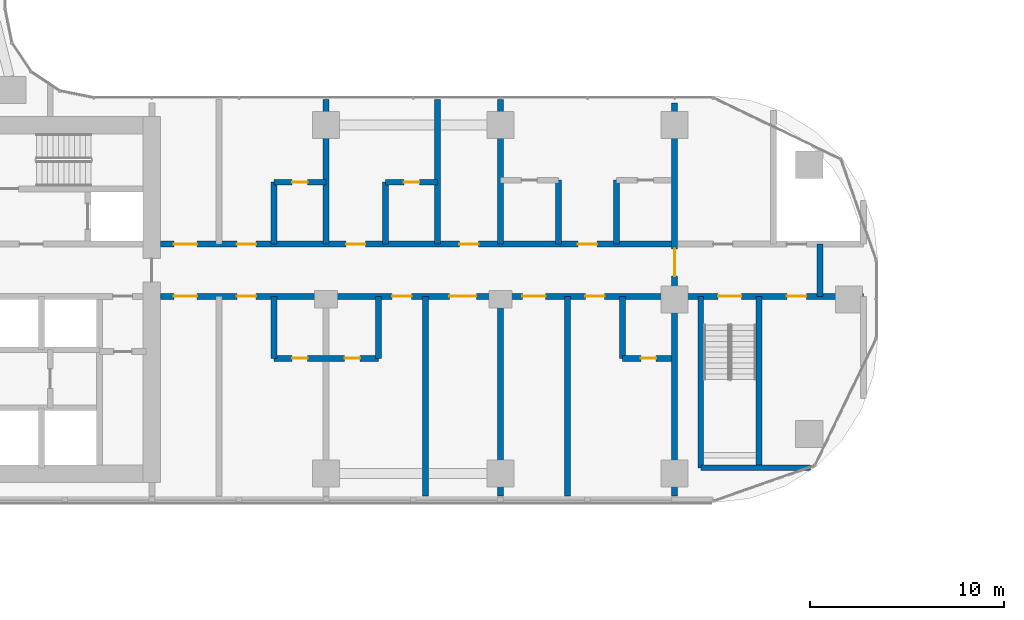
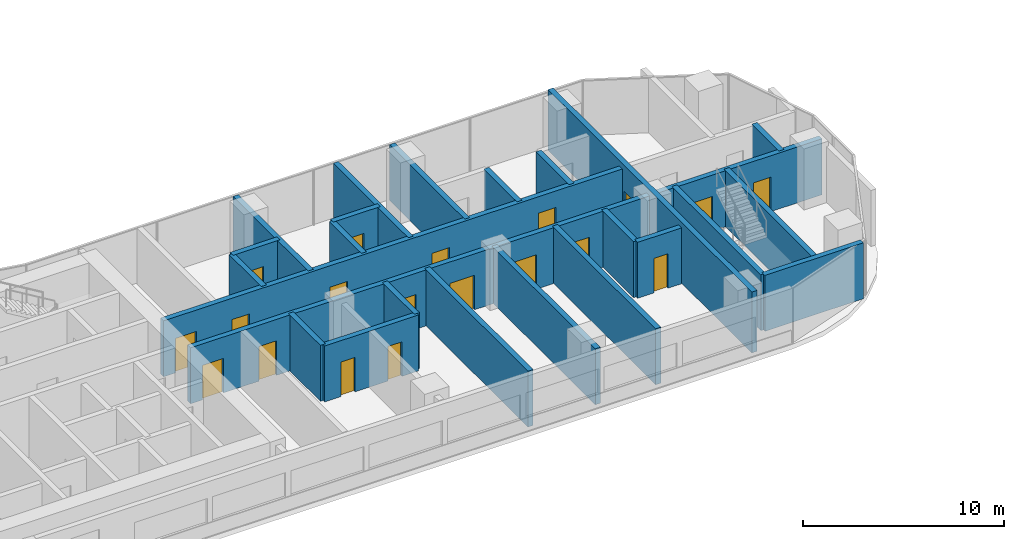
# One storey, part 18 of 33: 25 walls, 19 doors, 19 openings.
"""IFC4 building model written with IfcOpenShell, lengths in metres."""

from ifc_helpers import new_model, si_unit, direction, frame, frame_2d, origin, place, context, subcontext, project, spatial, rectangle, extrude, material, layer, layer_set, type_object, element, fill, save


model = new_model("IFC4")

# Units and contexts
model_context = context("Model", 3, precision=1e-05, world=origin(), true_north=direction((0.0, 1.0)))
body_context = subcontext(model_context, "Body", "Model", "MODEL_VIEW")
ifc_project = project(units=[si_unit("LENGTHUNIT", "METRE"), si_unit("AREAUNIT", "SQUARE_METRE"), si_unit("VOLUMEUNIT", "CUBIC_METRE"), si_unit("PLANEANGLEUNIT", "RADIAN"), si_unit("MASSUNIT", "GRAM", prefix="KILO")], contexts=[model_context])

# Site, building, storey
site_placement = place(None, origin())
site = spatial("IfcSite", under=ifc_project, at=site_placement, CompositionType="ELEMENT")
building_placement = place(site_placement, origin())
building = spatial("IfcBuilding", under=site, at=building_placement, Name="Ogive Portal Towers", CompositionType="ELEMENT")
storey_placement = place(building_placement, frame((0.0, 0.0, 77.89990234375)))
storey = spatial("IfcBuildingStorey", under=building, at=storey_placement, Name="L18", CompositionType="ELEMENT", Elevation=77.89990234375)

# Wall, opening, door
ifc_material_1 = material(Name="Concrete C60/75", Category="concrete")
ifc_layer_1 = layer(ifc_material_1, 0.300048828125)
ifc_layer_set_1 = layer_set([ifc_layer_1], Name="REVEAL WALL 300 C60")
wall_type_1 = type_object("IfcWallType", Name="REVEAL WALL 300 C60", PredefinedType="SHEAR", material=ifc_layer_set_1)
wall_1_placement = place(storey_placement, frame((85.5, 20.35009765625, 0.0), z_axis=(0.0, 0.0, 1.0), x_axis=(0.0, 1.0, 0.0)))
wall_1 = element("IfcWall", 1, at=wall_1_placement, inside=storey, type_object=wall_type_1, Name="Portal reveal wall L18", PredefinedType="SHEAR", context=body_context, shape_type="SweptSolid", body=[
    extrude(rectangle(XDim=20.2998046875, YDim=0.300048828125, at=frame_2d((10.14990234375, 0.0))), origin(), (0.0, 0.0, 1.0), 3.7001953125),
])
opening_1_placement = place(wall_1_placement, frame((11.35009765625, 0.0, 0.0)))
opening_1 = element("IfcOpeningElement", 2, at=opening_1_placement, cuts=wall_1, Name="Opening D05-066", PredefinedType="OPENING", context=body_context, shape_type="SweptSolid", body=[
    extrude(rectangle(XDim=1.39990234375, YDim=2.10009765625, at=frame_2d((0.699951171875, 1.050048828125))), frame((0.0, 0.16015625, 0.0), z_axis=(0.0, -1.0, 0.0), x_axis=(1.0, 0.0, 0.0)), (0.0, 0.0, 1.0), 0.320068359375),
])
ifc_material_2 = material(Name="Steel fire door", Category="steel")
door_type_1 = type_object("IfcDoorType", Name="DT-STAIR-1400x2100-FD90S", OperationType="SINGLE_SWING_LEFT", PredefinedType="DOOR", material=ifc_material_2)
door_1_placement = place(opening_1_placement, origin())
door_1 = element("IfcDoor", 3, at=door_1_placement, inside=storey, type_object=door_type_1, Name="Door D05-066", OperationType="SINGLE_SWING_RIGHT", OverallHeight=2.10009765625, OverallWidth=1.39990234375, PredefinedType="DOOR", context=body_context, shape_type="SweptSolid", body=[
    extrude(rectangle(XDim=1.39990234375, YDim=2.10009765625, at=frame_2d((0.699951171875, 1.050048828125))), frame((0.0, 0.02490234375, 0.0), z_axis=(0.0, -1.0, 0.0), x_axis=(1.0, 0.0, 0.0)), (0.0, 0.0, 1.0), 0.050048828125),
])
fill(opening_1, door_1)

# Wall
ifc_material_3 = material(Name="Concrete C50/60", Category="concrete")
ifc_layer_2 = layer(ifc_material_3, 0.300048828125)
ifc_layer_set_2 = layer_set([ifc_layer_2], Name="STAIR WALL 300 C50")
wall_type_2 = type_object("IfcWallType", Name="STAIR WALL 300 C50", PredefinedType="SHEAR", material=ifc_layer_set_2)
wall_2_placement = place(storey_placement, frame((86.85009765625, 21.800048828125, 0.0), z_axis=(0.0, 0.0, 1.0), x_axis=(1.0, 0.0, 0.0)))
element("IfcWall", 4, at=wall_2_placement, inside=storey, type_object=wall_type_2, Name="Stair wall ST-A4 L18", PredefinedType="SHEAR", context=body_context, shape_type="SweptSolid", body=[
    extrude(rectangle(XDim=5.664794921875, YDim=0.300048828125, at=frame_2d((2.83251953125, 0.0))), origin(), (0.0, 0.0, 1.0), 3.400146484375),
])

# Wall, openings, doors
wall_3_placement = place(storey_placement, frame((85.669921875, 30.64990234375, 0.0), z_axis=(0.0, 0.0, 1.0), x_axis=(1.0, 0.0, 0.0)))
wall_3 = element("IfcWall", 5, at=wall_3_placement, inside=storey, type_object=wall_type_2, Name="Stair wall ST-A4 L18", PredefinedType="SHEAR", context=body_context, shape_type="SweptSolid", body=[
    extrude(rectangle(XDim=9.580078125, YDim=0.300048828125, at=frame_2d((4.7900390625, 0.0))), origin(), (0.0, 0.0, 1.0), 3.400146484375),
])
opening_2_placement = place(wall_3_placement, frame((2.080078125, 0.0, 0.0)))
opening_2 = element("IfcOpeningElement", 6, at=opening_2_placement, cuts=wall_3, Name="Opening D05-061", PredefinedType="OPENING", context=body_context, shape_type="SweptSolid", body=[
    extrude(rectangle(XDim=1.199951171875, YDim=2.10009765625, at=frame_2d((0.60009765625, 1.050048828125))), frame((0.0, 0.16015625, 0.0), z_axis=(0.0, -1.0, 0.0), x_axis=(1.0, 0.0, 0.0)), (0.0, 0.0, 1.0), 0.320068359375),
])
opening_3_placement = place(wall_3_placement, frame((5.6298828125, 0.0, 0.0)))
opening_3 = element("IfcOpeningElement", 7, at=opening_3_placement, cuts=wall_3, Name="Opening D05-064", PredefinedType="OPENING", context=body_context, shape_type="SweptSolid", body=[
    extrude(rectangle(XDim=1.0, YDim=2.10009765625, at=frame_2d((0.5, 1.050048828125))), frame((0.0, 0.16015625, 0.0), z_axis=(0.0, -1.0, 0.0), x_axis=(1.0, 0.0, 0.0)), (0.0, 0.0, 1.0), 0.320068359375),
])
door_type_2 = type_object("IfcDoorType", Name="DT-SERVICE-1000x2100-FD90S", OperationType="SINGLE_SWING_LEFT", PredefinedType="DOOR", material=ifc_material_2)
door_2_placement = place(opening_3_placement, origin())
door_2 = element("IfcDoor", 8, at=door_2_placement, inside=storey, type_object=door_type_2, Name="Door D05-064", OperationType="SINGLE_SWING_LEFT", OverallHeight=2.10009765625, OverallWidth=1.0, PredefinedType="DOOR", context=body_context, shape_type="SweptSolid", body=[
    extrude(rectangle(XDim=1.0, YDim=2.10009765625, at=frame_2d((0.5, 1.050048828125))), frame((0.0, 0.02490234375, 0.0), z_axis=(0.0, -1.0, 0.0), x_axis=(1.0, 0.0, 0.0)), (0.0, 0.0, 1.0), 0.050048828125),
])
fill(opening_3, door_2)
door_type_3 = type_object("IfcDoorType", Name="DT-STAIR-1200x2100-FD90S", OperationType="SINGLE_SWING_LEFT", PredefinedType="DOOR", material=ifc_material_2)
door_3_placement = place(opening_2_placement, origin())
door_3 = element("IfcDoor", 9, at=door_3_placement, inside=storey, type_object=door_type_3, Name="Door D05-061", OperationType="SINGLE_SWING_LEFT", OverallHeight=2.10009765625, OverallWidth=1.199951171875, PredefinedType="DOOR", context=body_context, shape_type="SweptSolid", body=[
    extrude(rectangle(XDim=1.199951171875, YDim=2.10009765625, at=frame_2d((0.60009765625, 1.050048828125))), frame((0.0, 0.02490234375, 0.0), z_axis=(0.0, -1.0, 0.0), x_axis=(1.0, 0.0, 0.0)), (0.0, 0.0, 1.0), 0.050048828125),
])
fill(opening_2, door_3)

# Walls
for number, where, z_axis, x_axis, name in (
    (10, (86.85009765625, 21.800048828125, 0.0), (0.0, 0.0, 1.0), (0.0, 1.0, 0.0), "Stair wall ST-A4 L18"),
    (11, (89.85009765625, 21.800048828125, 0.0), (0.0, 0.0, 1.0), (0.0, 1.0, 0.0), "Stair wall ST-A4 L18"),
):
    element("IfcWall", number, at=place(storey_placement, frame(where, z_axis=z_axis, x_axis=x_axis)), inside=storey, type_object=wall_type_2, Name=name, PredefinedType="SHEAR", context=body_context, shape_type="SweptSolid", body=[
        extrude(rectangle(XDim=8.849853515625, YDim=0.300048828125, at=frame_2d((4.4248046875, 0.0))), origin(), (0.0, 0.0, 1.0), 3.400146484375),
    ])

# Wall, openings, doors
ifc_material_4 = material(Name="Gypsum board partition on steel studs", Category="steel")
ifc_layer_3 = layer(ifc_material_4, 0.300048828125)
ifc_layer_set_3 = layer_set([ifc_layer_3], Name="WT-PART-300-EI 120")
wall_type_3 = type_object("IfcWallType", Name="WT-PART-300-EI 120", PredefinedType="PARTITIONING", material=ifc_layer_set_3)
wall_4_placement = place(storey_placement, frame((58.949951171875, 30.64990234375, 0.0), z_axis=(0.0, 0.0, 1.0), x_axis=(1.0, 0.0, 0.0)))
wall_4 = element("IfcWall", 12, at=wall_4_placement, inside=storey, type_object=wall_type_3, Name="Wall L18:w004", PredefinedType="PARTITIONING", context=body_context, shape_type="SweptSolid", body=[
    extrude(rectangle(XDim=26.380126953125, YDim=0.300048828125, at=frame_2d((13.18994140625, 0.0))), origin(), (0.0, 0.0, 1.0), 3.400146484375),
])
opening_4_placement = place(wall_4_placement, frame((0.68505859375, 0.0, 0.0)))
opening_4 = element("IfcOpeningElement", 13, at=opening_4_placement, cuts=wall_4, Name="Opening D05-029", PredefinedType="OPENING", context=body_context, shape_type="SweptSolid", body=[
    extrude(rectangle(XDim=1.199951171875, YDim=2.10009765625, at=frame_2d((0.60009765625, 1.050048828125))), frame((0.0, 0.16015625, 0.0), z_axis=(0.0, -1.0, 0.0), x_axis=(1.0, 0.0, 0.0)), (0.0, 0.0, 1.0), 0.320068359375),
])
opening_5_placement = place(wall_4_placement, frame((3.93505859375, 0.0, 0.0)))
opening_5 = element("IfcOpeningElement", 14, at=opening_5_placement, cuts=wall_4, Name="Opening D05-031", PredefinedType="OPENING", context=body_context, shape_type="SweptSolid", body=[
    extrude(rectangle(XDim=1.0, YDim=2.10009765625, at=frame_2d((0.5, 1.050048828125))), frame((0.0, 0.16015625, 0.0), z_axis=(0.0, -1.0, 0.0), x_axis=(1.0, 0.0, 0.0)), (0.0, 0.0, 1.0), 0.320068359375),
])
opening_6_placement = place(wall_4_placement, frame((11.965087890625, 0.0, 0.0)))
opening_6 = element("IfcOpeningElement", 15, at=opening_6_placement, cuts=wall_4, Name="Opening D05-036", PredefinedType="OPENING", context=body_context, shape_type="SweptSolid", body=[
    extrude(rectangle(XDim=1.0, YDim=2.10009765625, at=frame_2d((0.5, 1.050048828125))), frame((0.0, 0.16015625, 0.0), z_axis=(0.0, -1.0, 0.0), x_axis=(1.0, 0.0, 0.0)), (0.0, 0.0, 1.0), 0.320068359375),
])
opening_7_placement = place(wall_4_placement, frame((14.9150390625, 0.0, 0.0)))
opening_7 = element("IfcOpeningElement", 16, at=opening_7_placement, cuts=wall_4, Name="Opening D05-037", PredefinedType="OPENING", context=body_context, shape_type="SweptSolid", body=[
    extrude(rectangle(XDim=1.39990234375, YDim=2.10009765625, at=frame_2d((0.699951171875, 1.050048828125))), frame((0.0, 0.16015625, 0.0), z_axis=(0.0, -1.0, 0.0), x_axis=(1.0, 0.0, 0.0)), (0.0, 0.0, 1.0), 0.320068359375),
])
opening_8_placement = place(wall_4_placement, frame((18.68505859375, 0.0, 0.0)))
opening_8 = element("IfcOpeningElement", 17, at=opening_8_placement, cuts=wall_4, Name="Opening D05-041", PredefinedType="OPENING", context=body_context, shape_type="SweptSolid", body=[
    extrude(rectangle(XDim=1.199951171875, YDim=2.10009765625, at=frame_2d((0.60009765625, 1.050048828125))), frame((0.0, 0.16015625, 0.0), z_axis=(0.0, -1.0, 0.0), x_axis=(1.0, 0.0, 0.0)), (0.0, 0.0, 1.0), 0.320068359375),
])
opening_9_placement = place(wall_4_placement, frame((21.93505859375, 0.0, 0.0)))
opening_9 = element("IfcOpeningElement", 18, at=opening_9_placement, cuts=wall_4, Name="Opening D05-043", PredefinedType="OPENING", context=body_context, shape_type="SweptSolid", body=[
    extrude(rectangle(XDim=1.0, YDim=2.10009765625, at=frame_2d((0.5, 1.050048828125))), frame((0.0, 0.16015625, 0.0), z_axis=(0.0, -1.0, 0.0), x_axis=(1.0, 0.0, 0.0)), (0.0, 0.0, 1.0), 0.320068359375),
])
door_type_4 = type_object("IfcDoorType", Name="DT-ENTRY-1000x2100-FD90S", OperationType="SINGLE_SWING_LEFT", PredefinedType="DOOR", material=ifc_material_2)
door_4_placement = place(opening_5_placement, origin())
door_4 = element("IfcDoor", 19, at=door_4_placement, inside=storey, type_object=door_type_4, Name="Door D05-031", OperationType="SINGLE_SWING_LEFT", OverallHeight=2.10009765625, OverallWidth=1.0, PredefinedType="DOOR", context=body_context, shape_type="SweptSolid", body=[
    extrude(rectangle(XDim=1.0, YDim=2.10009765625, at=frame_2d((0.5, 1.050048828125))), frame((0.0, 0.02490234375, 0.0), z_axis=(0.0, -1.0, 0.0), x_axis=(1.0, 0.0, 0.0)), (0.0, 0.0, 1.0), 0.050048828125),
])
fill(opening_5, door_4)
door_5_placement = place(opening_6_placement, origin())
door_5 = element("IfcDoor", 20, at=door_5_placement, inside=storey, type_object=door_type_4, Name="Door D05-036", OperationType="SINGLE_SWING_LEFT", OverallHeight=2.10009765625, OverallWidth=1.0, PredefinedType="DOOR", context=body_context, shape_type="SweptSolid", body=[
    extrude(rectangle(XDim=1.0, YDim=2.10009765625, at=frame_2d((0.5, 1.050048828125))), frame((0.0, 0.02490234375, 0.0), z_axis=(0.0, -1.0, 0.0), x_axis=(1.0, 0.0, 0.0)), (0.0, 0.0, 1.0), 0.050048828125),
])
fill(opening_6, door_5)
door_6_placement = place(opening_9_placement, origin())
door_6 = element("IfcDoor", 21, at=door_6_placement, inside=storey, type_object=door_type_4, Name="Door D05-043", OperationType="SINGLE_SWING_LEFT", OverallHeight=2.10009765625, OverallWidth=1.0, PredefinedType="DOOR", context=body_context, shape_type="SweptSolid", body=[
    extrude(rectangle(XDim=1.0, YDim=2.10009765625, at=frame_2d((0.5, 1.050048828125))), frame((0.0, 0.02490234375, 0.0), z_axis=(0.0, -1.0, 0.0), x_axis=(1.0, 0.0, 0.0)), (0.0, 0.0, 1.0), 0.050048828125),
])
fill(opening_9, door_6)
door_type_5 = type_object("IfcDoorType", Name="DT-ENTRY-1200x2100-FD90S", OperationType="SINGLE_SWING_LEFT", PredefinedType="DOOR", material=ifc_material_2)
door_7_placement = place(opening_4_placement, origin())
door_7 = element("IfcDoor", 22, at=door_7_placement, inside=storey, type_object=door_type_5, Name="Door D05-029", OperationType="SINGLE_SWING_LEFT", OverallHeight=2.10009765625, OverallWidth=1.199951171875, PredefinedType="DOOR", context=body_context, shape_type="SweptSolid", body=[
    extrude(rectangle(XDim=1.199951171875, YDim=2.10009765625, at=frame_2d((0.60009765625, 1.050048828125))), frame((0.0, 0.02490234375, 0.0), z_axis=(0.0, -1.0, 0.0), x_axis=(1.0, 0.0, 0.0)), (0.0, 0.0, 1.0), 0.050048828125),
])
fill(opening_4, door_7)
door_8_placement = place(opening_8_placement, origin())
door_8 = element("IfcDoor", 23, at=door_8_placement, inside=storey, type_object=door_type_5, Name="Door D05-041", OperationType="SINGLE_SWING_LEFT", OverallHeight=2.10009765625, OverallWidth=1.199951171875, PredefinedType="DOOR", context=body_context, shape_type="SweptSolid", body=[
    extrude(rectangle(XDim=1.199951171875, YDim=2.10009765625, at=frame_2d((0.60009765625, 1.050048828125))), frame((0.0, 0.02490234375, 0.0), z_axis=(0.0, -1.0, 0.0), x_axis=(1.0, 0.0, 0.0)), (0.0, 0.0, 1.0), 0.050048828125),
])
fill(opening_8, door_8)
door_type_6 = type_object("IfcDoorType", Name="DT-ENTRY-1400x2100-FD90S", OperationType="SINGLE_SWING_LEFT", PredefinedType="DOOR", material=ifc_material_2)
door_9_placement = place(opening_7_placement, origin())
door_9 = element("IfcDoor", 24, at=door_9_placement, inside=storey, type_object=door_type_6, Name="Door D05-037", OperationType="SINGLE_SWING_RIGHT", OverallHeight=2.10009765625, OverallWidth=1.39990234375, PredefinedType="DOOR", context=body_context, shape_type="SweptSolid", body=[
    extrude(rectangle(XDim=1.39990234375, YDim=2.10009765625, at=frame_2d((0.699951171875, 1.050048828125))), frame((0.0, 0.02490234375, 0.0), z_axis=(0.0, -1.0, 0.0), x_axis=(1.0, 0.0, 0.0)), (0.0, 0.0, 1.0), 0.050048828125),
])
fill(opening_7, door_9)

wall_5_placement = place(storey_placement, frame((58.949951171875, 33.35009765625, 0.0), z_axis=(0.0, 0.0, 1.0), x_axis=(1.0, 0.0, 0.0)))
wall_5 = element("IfcWall", 25, at=wall_5_placement, inside=storey, type_object=wall_type_3, Name="Wall L18:w006", PredefinedType="PARTITIONING", context=body_context, shape_type="SweptSolid", body=[
    extrude(rectangle(XDim=26.380126953125, YDim=0.300048828125, at=frame_2d((13.18994140625, 0.0))), origin(), (0.0, 0.0, 1.0), 3.400146484375),
])
opening_10_placement = place(wall_5_placement, frame((0.68505859375, 0.0, 0.0)))
opening_10 = element("IfcOpeningElement", 26, at=opening_10_placement, cuts=wall_5, Name="Opening D05-026", PredefinedType="OPENING", context=body_context, shape_type="SweptSolid", body=[
    extrude(rectangle(XDim=1.199951171875, YDim=2.10009765625, at=frame_2d((0.60009765625, 1.050048828125))), frame((0.0, 0.16015625, 0.0), z_axis=(0.0, -1.0, 0.0), x_axis=(1.0, 0.0, 0.0)), (0.0, 0.0, 1.0), 0.320068359375),
])
opening_11_placement = place(wall_5_placement, frame((3.93505859375, 0.0, 0.0)))
opening_11 = element("IfcOpeningElement", 27, at=opening_11_placement, cuts=wall_5, Name="Opening D05-028", PredefinedType="OPENING", context=body_context, shape_type="SweptSolid", body=[
    extrude(rectangle(XDim=1.0, YDim=2.10009765625, at=frame_2d((0.5, 1.050048828125))), frame((0.0, 0.16015625, 0.0), z_axis=(0.0, -1.0, 0.0), x_axis=(1.0, 0.0, 0.0)), (0.0, 0.0, 1.0), 0.320068359375),
])
opening_12_placement = place(wall_5_placement, frame((9.580078125, 0.0, 0.0)))
opening_12 = element("IfcOpeningElement", 28, at=opening_12_placement, cuts=wall_5, Name="Opening D05-033", PredefinedType="OPENING", context=body_context, shape_type="SweptSolid", body=[
    extrude(rectangle(XDim=1.0, YDim=2.10009765625, at=frame_2d((0.5, 1.050048828125))), frame((0.0, 0.16015625, 0.0), z_axis=(0.0, -1.0, 0.0), x_axis=(1.0, 0.0, 0.0)), (0.0, 0.0, 1.0), 0.320068359375),
])
opening_13_placement = place(wall_5_placement, frame((15.429931640625, 0.0, 0.0)))
opening_13 = element("IfcOpeningElement", 29, at=opening_13_placement, cuts=wall_5, Name="Opening D05-034", PredefinedType="OPENING", context=body_context, shape_type="SweptSolid", body=[
    extrude(rectangle(XDim=1.0, YDim=2.10009765625, at=frame_2d((0.5, 1.050048828125))), frame((0.0, 0.16015625, 0.0), z_axis=(0.0, -1.0, 0.0), x_axis=(1.0, 0.0, 0.0)), (0.0, 0.0, 1.0), 0.320068359375),
])
opening_14_placement = place(wall_5_placement, frame((21.550048828125, 0.0, 0.0)))
opening_14 = element("IfcOpeningElement", 30, at=opening_14_placement, cuts=wall_5, Name="Opening D05-040", PredefinedType="OPENING", context=body_context, shape_type="SweptSolid", body=[
    extrude(rectangle(XDim=1.0, YDim=2.39990234375, at=frame_2d((0.5, 1.199951171875))), frame((0.0, 0.16015625, 0.0), z_axis=(0.0, -1.0, 0.0), x_axis=(1.0, 0.0, 0.0)), (0.0, 0.0, 1.0), 0.320068359375),
])
door_10_placement = place(opening_11_placement, origin())
door_10 = element("IfcDoor", 31, at=door_10_placement, inside=storey, type_object=door_type_4, Name="Door D05-028", OperationType="SINGLE_SWING_LEFT", OverallHeight=2.10009765625, OverallWidth=1.0, PredefinedType="DOOR", context=body_context, shape_type="SweptSolid", body=[
    extrude(rectangle(XDim=1.0, YDim=2.10009765625, at=frame_2d((0.5, 1.050048828125))), frame((0.0, 0.02490234375, 0.0), z_axis=(0.0, -1.0, 0.0), x_axis=(1.0, 0.0, 0.0)), (0.0, 0.0, 1.0), 0.050048828125),
])
fill(opening_11, door_10)
door_11_placement = place(opening_12_placement, origin())
door_11 = element("IfcDoor", 32, at=door_11_placement, inside=storey, type_object=door_type_4, Name="Door D05-033", OperationType="SINGLE_SWING_LEFT", OverallHeight=2.10009765625, OverallWidth=1.0, PredefinedType="DOOR", context=body_context, shape_type="SweptSolid", body=[
    extrude(rectangle(XDim=1.0, YDim=2.10009765625, at=frame_2d((0.5, 1.050048828125))), frame((0.0, 0.02490234375, 0.0), z_axis=(0.0, -1.0, 0.0), x_axis=(1.0, 0.0, 0.0)), (0.0, 0.0, 1.0), 0.050048828125),
])
fill(opening_12, door_11)
door_12_placement = place(opening_13_placement, origin())
door_12 = element("IfcDoor", 33, at=door_12_placement, inside=storey, type_object=door_type_4, Name="Door D05-034", OperationType="SINGLE_SWING_RIGHT", OverallHeight=2.10009765625, OverallWidth=1.0, PredefinedType="DOOR", context=body_context, shape_type="SweptSolid", body=[
    extrude(rectangle(XDim=1.0, YDim=2.10009765625, at=frame_2d((0.5, 1.050048828125))), frame((0.0, 0.02490234375, 0.0), z_axis=(0.0, -1.0, 0.0), x_axis=(1.0, 0.0, 0.0)), (0.0, 0.0, 1.0), 0.050048828125),
])
fill(opening_13, door_12)
door_type_7 = type_object("IfcDoorType", Name="DT-ENTRY-1000x2400-FD90S", OperationType="SINGLE_SWING_LEFT", PredefinedType="DOOR", material=ifc_material_2)
door_13_placement = place(opening_14_placement, origin())
door_13 = element("IfcDoor", 34, at=door_13_placement, inside=storey, type_object=door_type_7, Name="Door D05-040", OperationType="SINGLE_SWING_LEFT", OverallHeight=2.39990234375, OverallWidth=1.0, PredefinedType="DOOR", context=body_context, shape_type="SweptSolid", body=[
    extrude(rectangle(XDim=1.0, YDim=2.39990234375, at=frame_2d((0.5, 1.199951171875))), frame((0.0, 0.02490234375, 0.0), z_axis=(0.0, -1.0, 0.0), x_axis=(1.0, 0.0, 0.0)), (0.0, 0.0, 1.0), 0.050048828125),
])
fill(opening_14, door_13)
door_14_placement = place(opening_10_placement, origin())
door_14 = element("IfcDoor", 35, at=door_14_placement, inside=storey, type_object=door_type_5, Name="Door D05-026", OperationType="SINGLE_SWING_LEFT", OverallHeight=2.10009765625, OverallWidth=1.199951171875, PredefinedType="DOOR", context=body_context, shape_type="SweptSolid", body=[
    extrude(rectangle(XDim=1.199951171875, YDim=2.10009765625, at=frame_2d((0.60009765625, 1.050048828125))), frame((0.0, 0.02490234375, 0.0), z_axis=(0.0, -1.0, 0.0), x_axis=(1.0, 0.0, 0.0)), (0.0, 0.0, 1.0), 0.050048828125),
])
fill(opening_10, door_14)

# Wall
wall_6_placement = place(storey_placement, frame((93.0, 30.64990234375, 0.0), z_axis=(0.0, 0.0, 1.0), x_axis=(0.0, 1.0, 0.0)))
element("IfcWall", 36, at=wall_6_placement, inside=storey, type_object=wall_type_3, Name="Wall L18:w064", PredefinedType="PARTITIONING", context=body_context, shape_type="SweptSolid", body=[
    extrude(rectangle(XDim=2.7001953125, YDim=0.300048828125, at=frame_2d((1.35009765625, 0.0))), origin(), (0.0, 0.0, 1.0), 3.400146484375),
])

# Wall, openings, doors
ifc_layer_4 = layer(ifc_material_4, 0.300048828125)
ifc_layer_set_4 = layer_set([ifc_layer_4], Name="WT-PART-300-EI 60")
wall_type_4 = type_object("IfcWallType", Name="WT-PART-300-EI 60", PredefinedType="PARTITIONING", material=ifc_layer_set_4)
wall_7_placement = place(storey_placement, frame((64.800048828125, 27.449951171875, 0.0), z_axis=(0.0, 0.0, 1.0), x_axis=(1.0, 0.0, 0.0)))
wall_7 = element("IfcWall", 37, at=wall_7_placement, inside=storey, type_object=wall_type_4, Name="Wall L18:w002", PredefinedType="PARTITIONING", context=body_context, shape_type="SweptSolid", body=[
    extrude(rectangle(XDim=5.39990234375, YDim=0.300048828125, at=frame_2d((2.699951171875, 0.0))), origin(), (0.0, 0.0, 1.0), 3.400146484375),
])
opening_15_placement = place(wall_7_placement, frame((0.949951171875, 0.0, 0.0)))
opening_15 = element("IfcOpeningElement", 38, at=opening_15_placement, cuts=wall_7, Name="Opening D05-030", PredefinedType="OPENING", context=body_context, shape_type="SweptSolid", body=[
    extrude(rectangle(XDim=0.800048828125, YDim=2.10009765625, at=frame_2d((0.39990234375, 1.050048828125))), frame((0.0, 0.16015625, 0.0), z_axis=(0.0, -1.0, 0.0), x_axis=(1.0, 0.0, 0.0)), (0.0, 0.0, 1.0), 0.320068359375),
])
opening_16_placement = place(wall_7_placement, frame((3.64990234375, 0.0, 0.0)))
opening_16 = element("IfcOpeningElement", 39, at=opening_16_placement, cuts=wall_7, Name="Opening D05-035", PredefinedType="OPENING", context=body_context, shape_type="SweptSolid", body=[
    extrude(rectangle(XDim=0.800048828125, YDim=2.10009765625, at=frame_2d((0.39990234375, 1.050048828125))), frame((0.0, 0.16015625, 0.0), z_axis=(0.0, -1.0, 0.0), x_axis=(1.0, 0.0, 0.0)), (0.0, 0.0, 1.0), 0.320068359375),
])
door_type_8 = type_object("IfcDoorType", Name="DT-BATH-800x2100-FD60S", OperationType="SINGLE_SWING_LEFT", PredefinedType="DOOR", material=ifc_material_2)
door_15_placement = place(opening_15_placement, origin())
door_15 = element("IfcDoor", 40, at=door_15_placement, inside=storey, type_object=door_type_8, Name="Door D05-030", OperationType="SINGLE_SWING_RIGHT", OverallHeight=2.10009765625, OverallWidth=0.800048828125, PredefinedType="DOOR", context=body_context, shape_type="SweptSolid", body=[
    extrude(rectangle(XDim=0.800048828125, YDim=2.10009765625, at=frame_2d((0.39990234375, 1.050048828125))), frame((0.0, 0.02490234375, 0.0), z_axis=(0.0, -1.0, 0.0), x_axis=(1.0, 0.0, 0.0)), (0.0, 0.0, 1.0), 0.050048828125),
])
fill(opening_15, door_15)
door_16_placement = place(opening_16_placement, origin())
door_16 = element("IfcDoor", 41, at=door_16_placement, inside=storey, type_object=door_type_8, Name="Door D05-035", OperationType="SINGLE_SWING_LEFT", OverallHeight=2.10009765625, OverallWidth=0.800048828125, PredefinedType="DOOR", context=body_context, shape_type="SweptSolid", body=[
    extrude(rectangle(XDim=0.800048828125, YDim=2.10009765625, at=frame_2d((0.39990234375, 1.050048828125))), frame((0.0, 0.02490234375, 0.0), z_axis=(0.0, -1.0, 0.0), x_axis=(1.0, 0.0, 0.0)), (0.0, 0.0, 1.0), 0.050048828125),
])
fill(opening_16, door_16)

# Wall, opening, door
wall_8_placement = place(storey_placement, frame((82.800048828125, 27.449951171875, 0.0), z_axis=(0.0, 0.0, 1.0), x_axis=(1.0, 0.0, 0.0)))
wall_8 = element("IfcWall", 42, at=wall_8_placement, inside=storey, type_object=wall_type_4, Name="Wall L18:w003", PredefinedType="PARTITIONING", context=body_context, shape_type="SweptSolid", body=[
    extrude(rectangle(XDim=2.530029296875, YDim=0.300048828125, at=frame_2d((1.26513671875, 0.0))), origin(), (0.0, 0.0, 1.0), 3.400146484375),
])
opening_17_placement = place(wall_8_placement, frame((0.949951171875, 0.0, 0.0)))
opening_17 = element("IfcOpeningElement", 43, at=opening_17_placement, cuts=wall_8, Name="Opening D05-042", PredefinedType="OPENING", context=body_context, shape_type="SweptSolid", body=[
    extrude(rectangle(XDim=0.800048828125, YDim=2.10009765625, at=frame_2d((0.39990234375, 1.050048828125))), frame((0.0, 0.16015625, 0.0), z_axis=(0.0, -1.0, 0.0), x_axis=(1.0, 0.0, 0.0)), (0.0, 0.0, 1.0), 0.320068359375),
])
door_17_placement = place(opening_17_placement, origin())
door_17 = element("IfcDoor", 44, at=door_17_placement, inside=storey, type_object=door_type_8, Name="Door D05-042", OperationType="SINGLE_SWING_RIGHT", OverallHeight=2.10009765625, OverallWidth=0.800048828125, PredefinedType="DOOR", context=body_context, shape_type="SweptSolid", body=[
    extrude(rectangle(XDim=0.800048828125, YDim=2.10009765625, at=frame_2d((0.39990234375, 1.050048828125))), frame((0.0, 0.02490234375, 0.0), z_axis=(0.0, -1.0, 0.0), x_axis=(1.0, 0.0, 0.0)), (0.0, 0.0, 1.0), 0.050048828125),
])
fill(opening_17, door_17)

wall_9_placement = place(storey_placement, frame((64.800048828125, 36.550048828125, 0.0), z_axis=(0.0, 0.0, 1.0), x_axis=(1.0, 0.0, 0.0)))
wall_9 = element("IfcWall", 45, at=wall_9_placement, inside=storey, type_object=wall_type_4, Name="Wall L18:w008", PredefinedType="PARTITIONING", context=body_context, shape_type="SweptSolid", body=[
    extrude(rectangle(XDim=2.699951171875, YDim=0.300048828125, at=frame_2d((1.35009765625, 0.0))), origin(), (0.0, 0.0, 1.0), 3.400146484375),
])
opening_18_placement = place(wall_9_placement, frame((0.949951171875, 0.0, 0.0)))
opening_18 = element("IfcOpeningElement", 46, at=opening_18_placement, cuts=wall_9, Name="Opening D05-027", PredefinedType="OPENING", context=body_context, shape_type="SweptSolid", body=[
    extrude(rectangle(XDim=0.800048828125, YDim=2.10009765625, at=frame_2d((0.39990234375, 1.050048828125))), frame((0.0, 0.16015625, 0.0), z_axis=(0.0, -1.0, 0.0), x_axis=(1.0, 0.0, 0.0)), (0.0, 0.0, 1.0), 0.320068359375),
])
door_18_placement = place(opening_18_placement, origin())
door_18 = element("IfcDoor", 47, at=door_18_placement, inside=storey, type_object=door_type_8, Name="Door D05-027", OperationType="SINGLE_SWING_RIGHT", OverallHeight=2.10009765625, OverallWidth=0.800048828125, PredefinedType="DOOR", context=body_context, shape_type="SweptSolid", body=[
    extrude(rectangle(XDim=0.800048828125, YDim=2.10009765625, at=frame_2d((0.39990234375, 1.050048828125))), frame((0.0, 0.02490234375, 0.0), z_axis=(0.0, -1.0, 0.0), x_axis=(1.0, 0.0, 0.0)), (0.0, 0.0, 1.0), 0.050048828125),
])
fill(opening_18, door_18)

wall_10_placement = place(storey_placement, frame((70.56005859375, 36.550048828125, 0.0), z_axis=(0.0, 0.0, 1.0), x_axis=(1.0, 0.0, 0.0)))
wall_10 = element("IfcWall", 48, at=wall_10_placement, inside=storey, type_object=wall_type_4, Name="Wall L18:w009", PredefinedType="PARTITIONING", context=body_context, shape_type="SweptSolid", body=[
    extrude(rectangle(XDim=2.699951171875, YDim=0.300048828125, at=frame_2d((1.35009765625, 0.0))), origin(), (0.0, 0.0, 1.0), 3.400146484375),
])
opening_19_placement = place(wall_10_placement, frame((0.949951171875, 0.0, 0.0)))
opening_19 = element("IfcOpeningElement", 49, at=opening_19_placement, cuts=wall_10, Name="Opening D05-032", PredefinedType="OPENING", context=body_context, shape_type="SweptSolid", body=[
    extrude(rectangle(XDim=0.800048828125, YDim=2.10009765625, at=frame_2d((0.39990234375, 1.050048828125))), frame((0.0, 0.16015625, 0.0), z_axis=(0.0, -1.0, 0.0), x_axis=(1.0, 0.0, 0.0)), (0.0, 0.0, 1.0), 0.320068359375),
])
door_19_placement = place(opening_19_placement, origin())
door_19 = element("IfcDoor", 50, at=door_19_placement, inside=storey, type_object=door_type_8, Name="Door D05-032", OperationType="SINGLE_SWING_LEFT", OverallHeight=2.10009765625, OverallWidth=0.800048828125, PredefinedType="DOOR", context=body_context, shape_type="SweptSolid", body=[
    extrude(rectangle(XDim=0.800048828125, YDim=2.10009765625, at=frame_2d((0.39990234375, 1.050048828125))), frame((0.0, 0.02490234375, 0.0), z_axis=(0.0, -1.0, 0.0), x_axis=(1.0, 0.0, 0.0)), (0.0, 0.0, 1.0), 0.050048828125),
])
fill(opening_19, door_19)

# Walls
for number, where, z_axis, x_axis, name in (
    (51, (64.800048828125, 27.449951171875, 0.0), (0.0, 0.0, 1.0), (0.0, 1.0, 0.0), "Wall L18:w047"),
    (52, (64.800048828125, 33.35009765625, 0.0), (0.0, 0.0, 1.0), (0.0, 1.0, 0.0), "Wall L18:w048"),
):
    element("IfcWall", number, at=place(storey_placement, frame(where, z_axis=z_axis, x_axis=x_axis)), inside=storey, type_object=wall_type_4, Name=name, PredefinedType="PARTITIONING", context=body_context, shape_type="SweptSolid", body=[
        extrude(rectangle(XDim=3.199951171875, YDim=0.300048828125, at=frame_2d((1.60009765625, 0.0))), origin(), (0.0, 0.0, 1.0), 3.400146484375),
    ])
wall_11_placement = place(storey_placement, frame((67.5, 33.35009765625, 0.0), z_axis=(0.0, 0.0, 1.0), x_axis=(0.0, 1.0, 0.0)))
element("IfcWall", 53, at=wall_11_placement, inside=storey, type_object=wall_type_4, Name="Wall L18:w050", PredefinedType="PARTITIONING", context=body_context, shape_type="SweptSolid", body=[
    extrude(rectangle(XDim=7.47998046875, YDim=0.300048828125, at=frame_2d((3.739990234375, 0.0))), origin(), (0.0, 0.0, 1.0), 3.400146484375),
])
for number, where, z_axis, x_axis, name in (
    (54, (70.199951171875, 27.449951171875, 0.0), (0.0, 0.0, 1.0), (0.0, 1.0, 0.0), "Wall L18:w051"),
    (55, (70.56005859375, 33.35009765625, 0.0), (0.0, 0.0, 1.0), (0.0, 1.0, 0.0), "Wall L18:w052"),
):
    element("IfcWall", number, at=place(storey_placement, frame(where, z_axis=z_axis, x_axis=x_axis)), inside=storey, type_object=wall_type_4, Name=name, PredefinedType="PARTITIONING", context=body_context, shape_type="SweptSolid", body=[
        extrude(rectangle(XDim=3.199951171875, YDim=0.300048828125, at=frame_2d((1.60009765625, 0.0))), origin(), (0.0, 0.0, 1.0), 3.400146484375),
    ])
wall_12_placement = place(storey_placement, frame((72.6298828125, 20.35009765625, 0.0), z_axis=(0.0, 0.0, 1.0), x_axis=(0.0, 1.0, 0.0)))
element("IfcWall", 56, at=wall_12_placement, inside=storey, type_object=wall_type_4, Name="Wall L18:w053", PredefinedType="PARTITIONING", context=body_context, shape_type="SweptSolid", body=[
    extrude(rectangle(XDim=10.2998046875, YDim=0.300048828125, at=frame_2d((5.14990234375, 0.0))), origin(), (0.0, 0.0, 1.0), 3.400146484375),
])
wall_13_placement = place(storey_placement, frame((73.260009765625, 33.35009765625, 0.0), z_axis=(0.0, 0.0, 1.0), x_axis=(0.0, 1.0, 0.0)))
element("IfcWall", 57, at=wall_13_placement, inside=storey, type_object=wall_type_4, Name="Wall L18:w054", PredefinedType="PARTITIONING", context=body_context, shape_type="SweptSolid", body=[
    extrude(rectangle(XDim=7.47998046875, YDim=0.300048828125, at=frame_2d((3.739990234375, 0.0))), origin(), (0.0, 0.0, 1.0), 3.400146484375),
])
wall_14_placement = place(storey_placement, frame((76.5, 20.35009765625, 0.0), z_axis=(0.0, 0.0, 1.0), x_axis=(0.0, 1.0, 0.0)))
element("IfcWall", 58, at=wall_14_placement, inside=storey, type_object=wall_type_4, Name="Wall L18:w055", PredefinedType="PARTITIONING", context=body_context, shape_type="SweptSolid", body=[
    extrude(rectangle(XDim=10.2998046875, YDim=0.300048828125, at=frame_2d((5.14990234375, 0.0))), origin(), (0.0, 0.0, 1.0), 3.400146484375),
])
wall_15_placement = place(storey_placement, frame((76.5, 33.35009765625, 0.0), z_axis=(0.0, 0.0, 1.0), x_axis=(0.0, 1.0, 0.0)))
element("IfcWall", 59, at=wall_15_placement, inside=storey, type_object=wall_type_4, Name="Wall L18:w056", PredefinedType="PARTITIONING", context=body_context, shape_type="SweptSolid", body=[
    extrude(rectangle(XDim=7.47998046875, YDim=0.300048828125, at=frame_2d((3.739990234375, 0.0))), origin(), (0.0, 0.0, 1.0), 3.400146484375),
])
wall_16_placement = place(storey_placement, frame((79.5, 33.35009765625, 0.0), z_axis=(0.0, 0.0, 1.0), x_axis=(0.0, 1.0, 0.0)))
element("IfcWall", 60, at=wall_16_placement, inside=storey, type_object=wall_type_4, Name="Wall L18:w057", PredefinedType="PARTITIONING", context=body_context, shape_type="SweptSolid", body=[
    extrude(rectangle(XDim=3.2998046875, YDim=0.300048828125, at=frame_2d((1.64990234375, 0.0))), origin(), (0.0, 0.0, 1.0), 3.400146484375),
])
wall_17_placement = place(storey_placement, frame((79.969970703125, 20.35009765625, 0.0), z_axis=(0.0, 0.0, 1.0), x_axis=(0.0, 1.0, 0.0)))
element("IfcWall", 61, at=wall_17_placement, inside=storey, type_object=wall_type_4, Name="Wall L18:w058", PredefinedType="PARTITIONING", context=body_context, shape_type="SweptSolid", body=[
    extrude(rectangle(XDim=10.2998046875, YDim=0.300048828125, at=frame_2d((5.14990234375, 0.0))), origin(), (0.0, 0.0, 1.0), 3.400146484375),
])
wall_18_placement = place(storey_placement, frame((82.5, 33.35009765625, 0.0), z_axis=(0.0, 0.0, 1.0), x_axis=(0.0, 1.0, 0.0)))
element("IfcWall", 62, at=wall_18_placement, inside=storey, type_object=wall_type_4, Name="Wall L18:w059", PredefinedType="PARTITIONING", context=body_context, shape_type="SweptSolid", body=[
    extrude(rectangle(XDim=3.2998046875, YDim=0.300048828125, at=frame_2d((1.64990234375, 0.0))), origin(), (0.0, 0.0, 1.0), 3.400146484375),
])
wall_19_placement = place(storey_placement, frame((82.800048828125, 27.449951171875, 0.0), z_axis=(0.0, 0.0, 1.0), x_axis=(0.0, 1.0, 0.0)))
element("IfcWall", 63, at=wall_19_placement, inside=storey, type_object=wall_type_4, Name="Wall L18:w060", PredefinedType="PARTITIONING", context=body_context, shape_type="SweptSolid", body=[
    extrude(rectangle(XDim=3.199951171875, YDim=0.300048828125, at=frame_2d((1.60009765625, 0.0))), origin(), (0.0, 0.0, 1.0), 3.400146484375),
])

save(model, "model.ifc")
